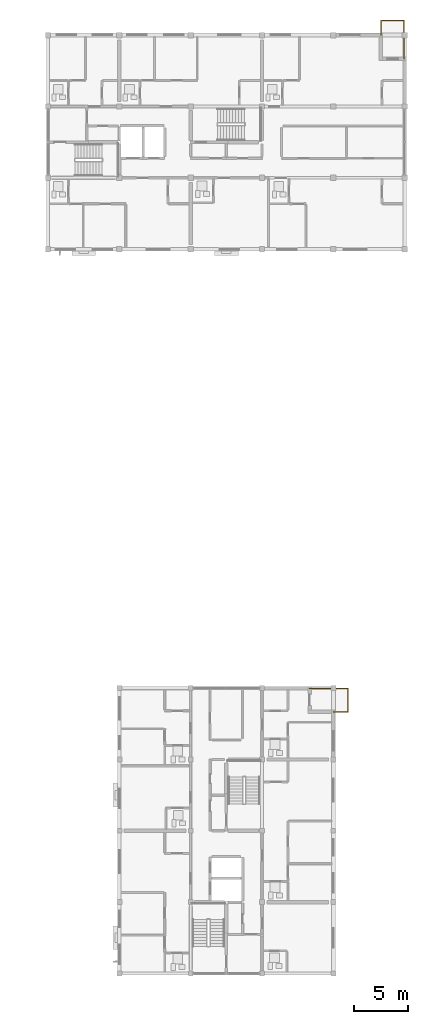
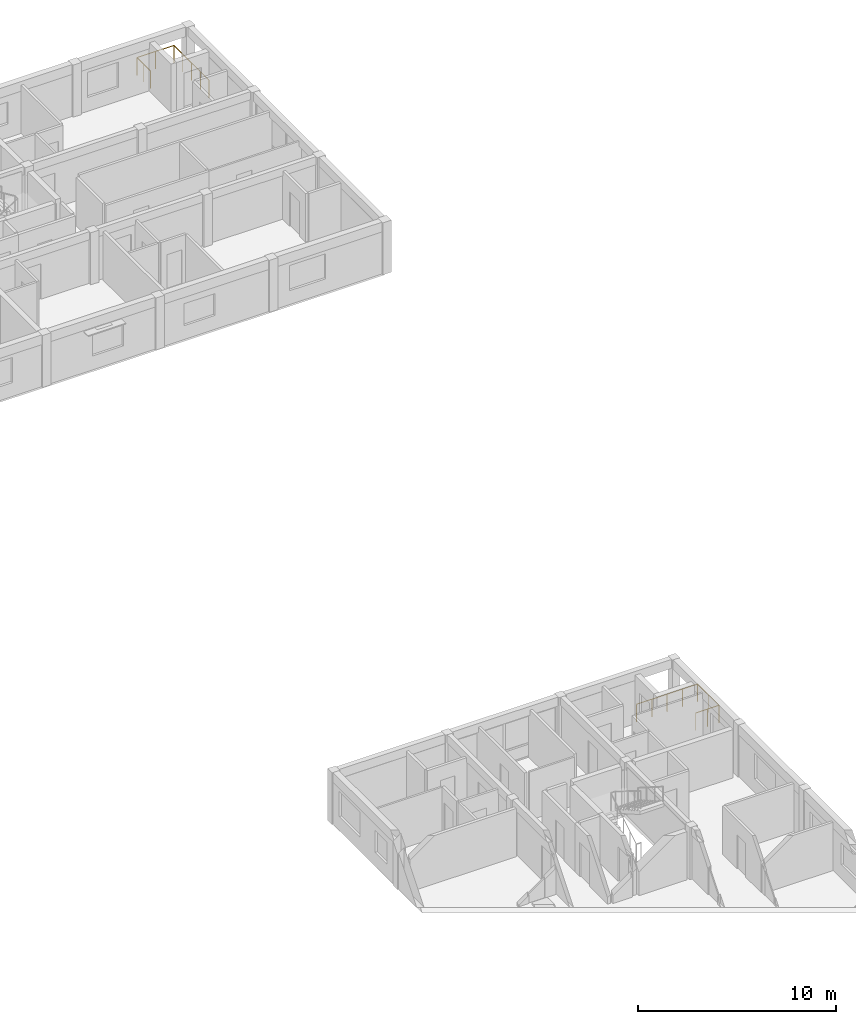
# One storey, part 52 of 53: 2 railings.
"""IFC4 building model written with IfcOpenShell, lengths in metres."""

from ifc_helpers import new_model, si_unit, direction, frame, origin, origin_2d, place, context, subcontext, project, spatial, circle, extrude, material, type_object, element, save


model = new_model("IFC4")

# Units and contexts
model_context = context("Model", 3, precision=1e-05, world=origin(), true_north=direction((0.0, 1.0)))
body_context = subcontext(model_context, "Body", "Model", "MODEL_VIEW")
ifc_project = project(units=[si_unit("LENGTHUNIT", "METRE"), si_unit("AREAUNIT", "SQUARE_METRE"), si_unit("VOLUMEUNIT", "CUBIC_METRE"), si_unit("PLANEANGLEUNIT", "RADIAN"), si_unit("MASSUNIT", "GRAM", prefix="KILO")], contexts=[model_context])

# Site, building, storey
site_placement = place(None, origin())
site = spatial("IfcSite", under=ifc_project, at=site_placement, CompositionType="ELEMENT")
building_placement = place(site_placement, origin())
building = spatial("IfcBuilding", under=site, at=building_placement, Name="Kernevlak Ridge Housing Community", CompositionType="ELEMENT")
storey_placement = place(building_placement, frame((0.0, 0.0, 24.39990234375)))
storey = spatial("IfcBuildingStorey", under=building, at=storey_placement, Name="L07", CompositionType="ELEMENT", Elevation=24.39990234375)

# Railings
ifc_material = material(Name="Steel S355", Category="steel")
railing_type = type_object("IfcRailingType", Name="BL-01", PredefinedType="BALUSTRADE", material=ifc_material)
railing_1_placement = place(storey_placement, frame((150.199951171875, 102.39990234375, 0.0)))
element("IfcRailing", 1, at=railing_1_placement, inside=storey, type_object=railing_type, Name="Block B L07 balcony balustrade BL-01 25", PredefinedType="BALUSTRADE", context=body_context, shape_type="SweptSolid", body=[
    extrude(circle(Radius=0.02392578125, at=origin_2d()), frame((0.0, 0.0, 1.076171875), z_axis=(0.0, 1.0, 0.0), x_axis=(-1.0, 0.0, 0.0)), (0.0, 0.0, 1.0), 1.35009765625),
    extrude(circle(Radius=0.02392578125, at=origin_2d()), frame((0.0, 1.35009765625, 1.076171875), z_axis=(1.0, 0.0, 0.0), x_axis=(0.0, 1.0, 0.0)), (0.0, 0.0, 1.0), 2.150146484375),
    extrude(circle(Radius=0.02392578125, at=origin_2d()), frame((2.150146484375, 1.35009765625, 1.076171875), z_axis=(0.0, -1.0, 0.0), x_axis=(1.0, 0.0, 0.0)), (0.0, 0.0, 1.0), 3.550048828125),
    extrude(circle(Radius=0.02099609375, at=origin_2d()), origin(), (0.0, 0.0, 1.0), 1.052001953125),
    extrude(circle(Radius=0.02099609375, at=origin_2d()), frame((0.0, 0.675048828125, 0.0)), (0.0, 0.0, 1.0), 1.052001953125),
    extrude(circle(Radius=0.02099609375, at=origin_2d()), frame((0.0, 1.35009765625, 0.0)), (0.0, 0.0, 1.0), 1.052001953125),
    extrude(circle(Radius=0.02099609375, at=origin_2d()), frame((1.0751953125, 1.35009765625, 0.0)), (0.0, 0.0, 1.0), 1.052001953125),
    extrude(circle(Radius=0.02099609375, at=origin_2d()), frame((2.150146484375, 1.35009765625, 0.0)), (0.0, 0.0, 1.0), 1.052001953125),
    extrude(circle(Radius=0.02099609375, at=origin_2d()), frame((2.150146484375, 0.462646484375, 0.0)), (0.0, 0.0, 1.0), 1.052001953125),
    extrude(circle(Radius=0.02099609375, at=origin_2d()), frame((2.150146484375, -0.4248046875, 0.0)), (0.0, 0.0, 1.0), 1.052001953125),
    extrude(circle(Radius=0.02099609375, at=origin_2d()), frame((2.150146484375, -1.3125, 0.0)), (0.0, 0.0, 1.0), 1.052001953125),
    extrude(circle(Radius=0.02099609375, at=origin_2d()), frame((2.150146484375, -2.199951171875, 0.0)), (0.0, 0.0, 1.0), 1.052001953125),
])
railing_2_placement = place(storey_placement, frame((145.800048828125, 39.800048828125, 0.0)))
element("IfcRailing", 2, at=railing_2_placement, inside=storey, type_object=railing_type, Name="Block C L07 balcony balustrade BL-01 40", PredefinedType="BALUSTRADE", context=body_context, shape_type="SweptSolid", body=[
    extrude(circle(Radius=0.02392578125, at=origin_2d()), frame((0.0, 0.0, 1.076171875), z_axis=(1.0, 0.0, 0.0), x_axis=(0.0, 1.0, 0.0)), (0.0, 0.0, 1.0), 1.349853515625),
    extrude(circle(Radius=0.02392578125, at=origin_2d()), frame((1.349853515625, 0.0, 1.076171875), z_axis=(0.0, 1.0, 0.0), x_axis=(-1.0, 0.0, 0.0)), (0.0, 0.0, 1.0), 2.14990234375),
    extrude(circle(Radius=0.02392578125, at=origin_2d()), frame((1.349853515625, 2.14990234375, 1.076171875), z_axis=(-1.0, 0.0, 0.0), x_axis=(0.0, -1.0, 0.0)), (0.0, 0.0, 1.0), 3.5498046875),
    extrude(circle(Radius=0.02099609375, at=origin_2d()), origin(), (0.0, 0.0, 1.0), 1.052001953125),
    extrude(circle(Radius=0.02099609375, at=origin_2d()), frame((0.6748046875, 0.0, 0.0)), (0.0, 0.0, 1.0), 1.052001953125),
    extrude(circle(Radius=0.02099609375, at=origin_2d()), frame((1.349853515625, 0.0, 0.0)), (0.0, 0.0, 1.0), 1.052001953125),
    extrude(circle(Radius=0.02099609375, at=origin_2d()), frame((1.349853515625, 1.074951171875, 0.0)), (0.0, 0.0, 1.0), 1.052001953125),
    extrude(circle(Radius=0.02099609375, at=origin_2d()), frame((1.349853515625, 2.14990234375, 0.0)), (0.0, 0.0, 1.0), 1.052001953125),
    extrude(circle(Radius=0.02099609375, at=origin_2d()), frame((0.46240234375, 2.14990234375, 0.0)), (0.0, 0.0, 1.0), 1.052001953125),
    extrude(circle(Radius=0.02099609375, at=origin_2d()), frame((-0.425048828125, 2.14990234375, 0.0)), (0.0, 0.0, 1.0), 1.052001953125),
    extrude(circle(Radius=0.02099609375, at=origin_2d()), frame((-1.3125, 2.14990234375, 0.0)), (0.0, 0.0, 1.0), 1.052001953125),
    extrude(circle(Radius=0.02099609375, at=origin_2d()), frame((-2.199951171875, 2.14990234375, 0.0)), (0.0, 0.0, 1.0), 1.052001953125),
])

save(model, "model.ifc")
